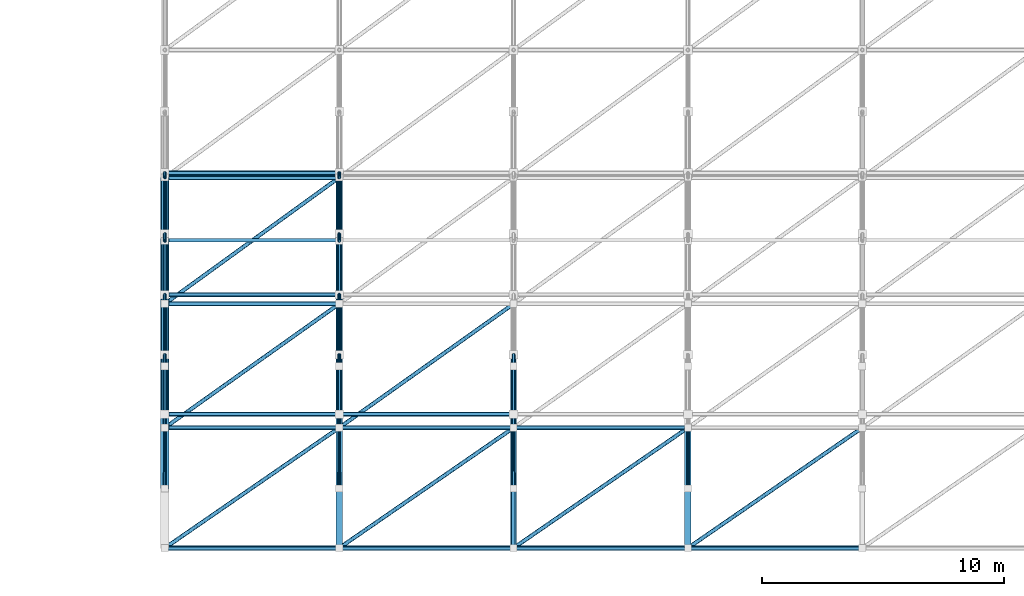
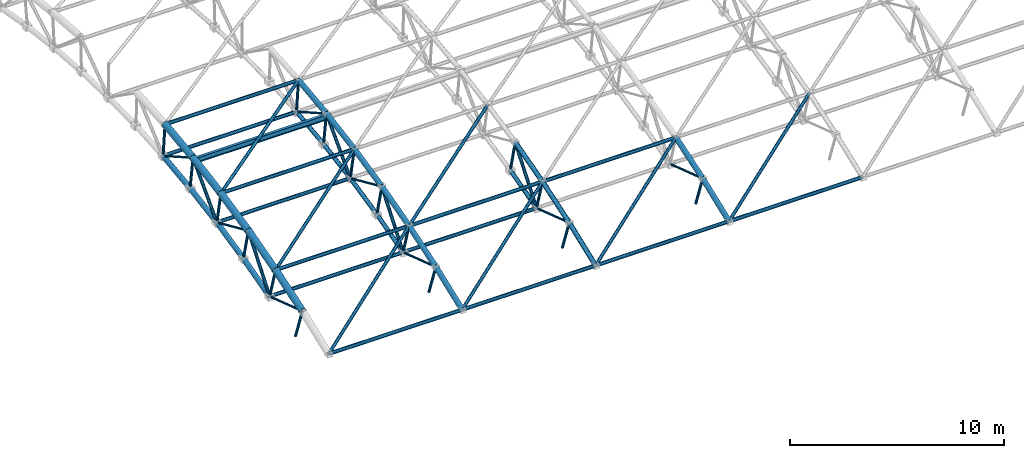
# One storey, part 12 of 41: 75 members.
"""IFC4 building model written with IfcOpenShell, lengths in metres."""

from ifc_helpers import new_model, si_unit, direction, frame, origin, origin_2d, place, context, subcontext, project, spatial, hollow_circle, i_section, extrude, material, material_profile, profile_set, type_object, element, save


model = new_model("IFC4")

# Units and contexts
model_context = context("Model", 3, precision=1e-05, world=origin(), true_north=direction((0.0, 1.0)))
body_context = subcontext(model_context, "Body", "Model", "MODEL_VIEW")
ifc_project = project(units=[si_unit("LENGTHUNIT", "METRE"), si_unit("AREAUNIT", "SQUARE_METRE"), si_unit("VOLUMEUNIT", "CUBIC_METRE"), si_unit("PLANEANGLEUNIT", "RADIAN"), si_unit("MASSUNIT", "GRAM", prefix="KILO")], contexts=[model_context])

# Site, building, storey
site_placement = place(None, origin())
site = spatial("IfcSite", under=ifc_project, at=site_placement, CompositionType="ELEMENT")
building_placement = place(site_placement, origin())
building = spatial("IfcBuilding", under=site, at=building_placement, Name="Malvenik Polytechnic", CompositionType="ELEMENT")
storey_placement = place(building_placement, frame((0.0, 0.0, 17.699951171875)))
storey = spatial("IfcBuildingStorey", under=building, at=storey_placement, Name="L04", CompositionType="ELEMENT", Elevation=17.699951171875)

# Members
ifc_material_1 = material(Name="Steel S355J2H", Category="steel")
ifc_material_profile_1 = material_profile(ifc_material_1, hollow_circle(Radius=0.136474609375, WallThickness=0.010009765625, at=origin_2d()), Name="CHS 273.0x10.0")
ifc_profile_set_1 = profile_set([ifc_material_profile_1], Name="Steel S355J2H")
member_type_1 = type_object("IfcMemberType", Name="STR-MEM-SFB-01", PredefinedType="CHORD", material=ifc_profile_set_1)
for number, where, z_axis, x_axis, name in (
    (1, (134.39990234375, 49.7607421875, 0.181396484375), (0.0, 0.96402666338, 0.265805553539), (-1.0, 0.0, 0.0), "Space-Frame Tube SFB-01 STR-SF-BC-0013"),
    (2, (134.39990234375, 52.21240234375, 0.857177734375), (0.0, 0.975880203116, 0.21830673184), (-1.0, 0.0, 0.0), "Space-Frame Tube SFB-01 STR-SF-BC-0015"),
):
    element("IfcMember", number, at=place(storey_placement, frame(where, z_axis=z_axis, x_axis=x_axis)), inside=storey, type_object=member_type_1, Name=name, PredefinedType="CHORD", context=body_context, shape_type="SweptSolid", body=[
        extrude(hollow_circle(Radius=0.136474609375, WallThickness=0.010009765625, at=origin_2d()), origin(), (0.0, 0.0, 1.0), 2.53515625),
    ])
member_1_placement = place(storey_placement, frame((134.39990234375, 54.6943359375, 1.412353515625), z_axis=(0.0, 0.985387199481, 0.170329290198), x_axis=(-1.0, 0.0, 0.0)))
element("IfcMember", 3, at=member_1_placement, inside=storey, type_object=member_type_1, Name="Space-Frame Tube SFB-01 STR-SF-BC-0017", PredefinedType="CHORD", context=body_context, shape_type="SweptSolid", body=[
    extrude(hollow_circle(Radius=0.136474609375, WallThickness=0.010009765625, at=origin_2d()), origin(), (0.0, 0.0, 1.0), 2.53564453125),
])
member_2_placement = place(storey_placement, frame((134.39990234375, 57.20068359375, 1.845458984375), z_axis=(0.0, 0.992529141181, 0.122007802646), x_axis=(-1.0, 0.0, 0.0)))
element("IfcMember", 4, at=member_2_placement, inside=storey, type_object=member_type_1, Name="Space-Frame Tube SFB-01 STR-SF-BC-0019", PredefinedType="CHORD", context=body_context, shape_type="SweptSolid", body=[
    extrude(hollow_circle(Radius=0.136474609375, WallThickness=0.010009765625, at=origin_2d()), origin(), (0.0, 0.0, 1.0), 2.535400390625),
])
ifc_material_profile_2 = material_profile(ifc_material_1, hollow_circle(Radius=0.109619140625, WallThickness=0.010009765625, at=origin_2d()), Name="CHS 219.1x10.0")
ifc_profile_set_2 = profile_set([ifc_material_profile_2], Name="Steel S355J2H")
member_type_2 = type_object("IfcMemberType", Name="STR-MEM-SFB-02", PredefinedType="CHORD", material=ifc_profile_set_2)
for number, where, z_axis, x_axis, name in (
    (5, (141.60009765625, 49.7607421875, 0.181396484375), (0.0, 0.96402666338, 0.265805553539), (-1.0, 0.0, 0.0), "Space-Frame Tube SFB-02 STR-SF-BC-0110"),
    (6, (141.60009765625, 52.21240234375, 0.857177734375), (0.0, 0.975880203116, 0.21830673184), (-1.0, 0.0, 0.0), "Space-Frame Tube SFB-02 STR-SF-BC-0112"),
):
    element("IfcMember", number, at=place(storey_placement, frame(where, z_axis=z_axis, x_axis=x_axis)), inside=storey, type_object=member_type_2, Name=name, PredefinedType="CHORD", context=body_context, shape_type="SweptSolid", body=[
        extrude(hollow_circle(Radius=0.109619140625, WallThickness=0.010009765625, at=origin_2d()), origin(), (0.0, 0.0, 1.0), 2.53515625),
    ])
member_3_placement = place(storey_placement, frame((141.60009765625, 54.6943359375, 1.412353515625), z_axis=(0.0, 0.985387199481, 0.170329290198), x_axis=(-1.0, 0.0, 0.0)))
element("IfcMember", 7, at=member_3_placement, inside=storey, type_object=member_type_2, Name="Space-Frame Tube SFB-02 STR-SF-BC-0114", PredefinedType="CHORD", context=body_context, shape_type="SweptSolid", body=[
    extrude(hollow_circle(Radius=0.109619140625, WallThickness=0.010009765625, at=origin_2d()), origin(), (0.0, 0.0, 1.0), 2.53564453125),
])
member_4_placement = place(storey_placement, frame((141.60009765625, 57.20068359375, 1.845458984375), z_axis=(0.0, 0.992529141181, 0.122007802646), x_axis=(-1.0, 0.0, 0.0)))
element("IfcMember", 8, at=member_4_placement, inside=storey, type_object=member_type_2, Name="Space-Frame Tube SFB-02 STR-SF-BC-0116", PredefinedType="CHORD", context=body_context, shape_type="SweptSolid", body=[
    extrude(hollow_circle(Radius=0.109619140625, WallThickness=0.010009765625, at=origin_2d()), origin(), (0.0, 0.0, 1.0), 2.535400390625),
])
ifc_material_profile_3 = material_profile(ifc_material_1, hollow_circle(Radius=0.109619140625, WallThickness=0.008056640625, at=origin_2d()), Name="CHS 219.1x8.0")
ifc_profile_set_3 = profile_set([ifc_material_profile_3], Name="Steel S355J2H")
member_type_3 = type_object("IfcMemberType", Name="STR-MEM-SFB-03", PredefinedType="CHORD", material=ifc_profile_set_3)
member_5_placement = place(storey_placement, frame((148.800048828125, 49.7607421875, 0.181396484375), z_axis=(0.0, 0.96402666338, 0.265805553539), x_axis=(-1.0, 0.0, 0.0)))
element("IfcMember", 9, at=member_5_placement, inside=storey, type_object=member_type_3, Name="Space-Frame Tube SFB-03 STR-SF-BC-0207", PredefinedType="CHORD", context=body_context, shape_type="SweptSolid", body=[
    extrude(hollow_circle(Radius=0.109619140625, WallThickness=0.008056640625, at=origin_2d()), origin(), (0.0, 0.0, 1.0), 2.53515625),
])
ifc_material_profile_4 = material_profile(ifc_material_1, hollow_circle(Radius=0.084228515625, WallThickness=0.00634765625, at=origin_2d()), Name="CHS 168.3x6.3")
ifc_profile_set_4 = profile_set([ifc_material_profile_4], Name="Steel S355J2H")
member_type_4 = type_object("IfcMemberType", Name="STR-MEM-SFD-02", PredefinedType="BRACE", material=ifc_profile_set_4)
for number, where, z_axis, x_axis, name in (
    (10, (134.39990234375, 49.75927734375, 0.18359375), (0.0, 0.615336380621, 0.788264637469), (-1.0, 0.0, 0.0), "Space-Frame Tube SFD-02 STR-SF-AD-0080"),
    (11, (134.39990234375, 54.693359375, 1.41455078125), (0.0, 0.689369138423, 0.724410236668), (-1.0, 0.0, 0.0), "Space-Frame Tube SFD-02 STR-SF-AD-0082"),
    (12, (141.60009765625, 49.75927734375, 0.18359375), (0.0, 0.615336380621, 0.788264637469), (-1.0, 0.0, 0.0), "Space-Frame Tube SFD-02 STR-SF-AD-0177"),
    (13, (141.60009765625, 54.693359375, 1.41455078125), (0.0, 0.689369138423, 0.724410236668), (-1.0, 0.0, 0.0), "Space-Frame Tube SFD-02 STR-SF-AD-0179"),
    (14, (148.800048828125, 49.75927734375, 0.18359375), (0.0, 0.615336380621, 0.788264637469), (-1.0, 0.0, 0.0), "Space-Frame Tube SFD-02 STR-SF-AD-0274"),
):
    element("IfcMember", number, at=place(storey_placement, frame(where, z_axis=z_axis, x_axis=x_axis)), inside=storey, type_object=member_type_4, Name=name, PredefinedType="BRACE", context=body_context, shape_type="SweptSolid", body=[
        extrude(hollow_circle(Radius=0.084228515625, WallThickness=0.00634765625, at=origin_2d()), origin(), (0.0, 0.0, 1.0), 3.218994140625),
    ])
for number, where, z_axis, x_axis, name in (
    (15, (134.4033203125, 44.23486328125, 0.25341796875), (0.80675012012, 0.556598440191, 0.198374444077), (-0.567884399756, 0.823108321252, 0.0), "Space-Frame Tube SFD-02 STR-SF-SD-0805"),
    (16, (134.4033203125, 49.2021484375, 2.023681640625), (0.806755303568, 0.57330445785, 0.143065994473), (-0.57926325146, 0.81514053114, 0.0), "Space-Frame Tube SFD-02 STR-SF-SD-0806"),
    (17, (134.4033203125, 54.318603515625, 3.30029296875), (0.806743307395, 0.584549377871, 0.086413313811), (-0.586744168683, 0.809772363394, 0.0), "Space-Frame Tube SFD-02 STR-SF-SD-0807"),
):
    element("IfcMember", number, at=place(storey_placement, frame(where, z_axis=z_axis, x_axis=x_axis)), inside=storey, type_object=member_type_4, Name=name, PredefinedType="BRACE", context=body_context, shape_type="SweptSolid", body=[
        extrude(hollow_circle(Radius=0.084228515625, WallThickness=0.00634765625, at=origin_2d()), origin(), (0.0, 0.0, 1.0), 8.91650390625),
    ])
member_6_placement = place(storey_placement, frame((141.603271484375, 44.23486328125, 0.25341796875), z_axis=(0.806759679952, 0.556586145395, 0.19837006215), x_axis=(-0.567871341818, 0.823117330119, 0.0)))
element("IfcMember", 18, at=member_6_placement, inside=storey, type_object=member_type_4, Name="Space-Frame Tube SFD-02 STR-SF-SD-0847", PredefinedType="BRACE", context=body_context, shape_type="SweptSolid", body=[
    extrude(hollow_circle(Radius=0.084228515625, WallThickness=0.00634765625, at=origin_2d()), origin(), (0.0, 0.0, 1.0), 8.916748046875),
])
member_7_placement = place(storey_placement, frame((141.603271484375, 49.2021484375, 2.023681640625), z_axis=(0.806764863232, 0.573291793869, 0.143062834223), x_axis=(-0.57925018849, 0.81514981392, 0.0)))
element("IfcMember", 19, at=member_7_placement, inside=storey, type_object=member_type_4, Name="Space-Frame Tube SFD-02 STR-SF-SD-0848", PredefinedType="BRACE", context=body_context, shape_type="SweptSolid", body=[
    extrude(hollow_circle(Radius=0.084228515625, WallThickness=0.00634765625, at=origin_2d()), origin(), (0.0, 0.0, 1.0), 8.91650390625),
])
for number, where, z_axis, x_axis, name in (
    (20, (148.80322265625, 44.23486328125, 0.25341796875), (0.806759679952, 0.556586145395, 0.19837006215), (-0.567871341818, 0.823117330119, 0.0), "Space-Frame Tube SFD-02 STR-SF-SD-0889"),
    (21, (156.003173828125, 44.23486328125, 0.25341796875), (0.806759679952, 0.556586145395, 0.19837006215), (-0.567871341818, 0.823117330119, 0.0), "Space-Frame Tube SFD-02 STR-SF-SD-0931"),
):
    element("IfcMember", number, at=place(storey_placement, frame(where, z_axis=z_axis, x_axis=x_axis)), inside=storey, type_object=member_type_4, Name=name, PredefinedType="BRACE", context=body_context, shape_type="SweptSolid", body=[
        extrude(hollow_circle(Radius=0.084228515625, WallThickness=0.00634765625, at=origin_2d()), origin(), (0.0, 0.0, 1.0), 8.916748046875),
    ])
ifc_material_profile_5 = material_profile(ifc_material_1, hollow_circle(Radius=0.06982421875, WallThickness=0.00634765625, at=origin_2d()), Name="CHS 139.7x6.3")
ifc_profile_set_5 = profile_set([ifc_material_profile_5], Name="Steel S355J2H")
member_type_5 = type_object("IfcMemberType", Name="STR-MEM-SFD-03", PredefinedType="BRACE", material=ifc_profile_set_5)
member_8_placement = place(storey_placement, frame((134.39990234375, 47.339599609375, -0.61083984375), z_axis=(0.0, -0.335836148318, 0.941920422054), x_axis=(1.0, 0.0, 0.0)))
element("IfcMember", 22, at=member_8_placement, inside=storey, type_object=member_type_5, Name="Space-Frame Tube SFD-03 STR-SF-WB-0054", PredefinedType="BRACE", context=body_context, shape_type="SweptSolid", body=[
    extrude(hollow_circle(Radius=0.06982421875, WallThickness=0.00634765625, at=origin_2d()), origin(), (0.0, 0.0, 1.0), 1.9169921875),
])
member_9_placement = place(storey_placement, frame((134.39990234375, 49.755615234375, 0.18408203125), z_axis=(0.0, -0.289204975311, 0.957267194808), x_axis=(1.0, 0.0, 0.0)))
element("IfcMember", 23, at=member_9_placement, inside=storey, type_object=member_type_5, Name="Space-Frame Tube SFD-03 STR-SF-WB-0055", PredefinedType="BRACE", context=body_context, shape_type="SweptSolid", body=[
    extrude(hollow_circle(Radius=0.06982421875, WallThickness=0.00634765625, at=origin_2d()), origin(), (0.0, 0.0, 1.0), 1.917236328125),
])
member_10_placement = place(storey_placement, frame((134.39990234375, 52.20751953125, 0.8603515625), z_axis=(0.0, -0.242116055397, 0.970247296167), x_axis=(1.0, 0.0, 0.0)))
element("IfcMember", 24, at=member_10_placement, inside=storey, type_object=member_type_5, Name="Space-Frame Tube SFD-03 STR-SF-WB-0056", PredefinedType="BRACE", context=body_context, shape_type="SweptSolid", body=[
    extrude(hollow_circle(Radius=0.06982421875, WallThickness=0.00634765625, at=origin_2d()), origin(), (0.0, 0.0, 1.0), 1.9169921875),
])
member_11_placement = place(storey_placement, frame((134.39990234375, 54.689697265625, 1.41552734375), z_axis=(0.0, -0.194328084871, 0.980936590933), x_axis=(1.0, 0.0, 0.0)))
element("IfcMember", 25, at=member_11_placement, inside=storey, type_object=member_type_5, Name="Space-Frame Tube SFD-03 STR-SF-WB-0057", PredefinedType="BRACE", context=body_context, shape_type="SweptSolid", body=[
    extrude(hollow_circle(Radius=0.06982421875, WallThickness=0.00634765625, at=origin_2d()), origin(), (0.0, 0.0, 1.0), 1.917236328125),
])
member_12_placement = place(storey_placement, frame((134.39990234375, 57.196044921875, 1.848876953125), z_axis=(0.0, -0.146197883622, 0.989255365831), x_axis=(1.0, 0.0, 0.0)))
element("IfcMember", 26, at=member_12_placement, inside=storey, type_object=member_type_5, Name="Space-Frame Tube SFD-03 STR-SF-WB-0058", PredefinedType="BRACE", context=body_context, shape_type="SweptSolid", body=[
    extrude(hollow_circle(Radius=0.06982421875, WallThickness=0.00634765625, at=origin_2d()), origin(), (0.0, 0.0, 1.0), 1.9169921875),
])
member_13_placement = place(storey_placement, frame((134.39990234375, 59.720703125, 2.1591796875), z_axis=(0.0, -0.09767529924, 0.995218335803), x_axis=(1.0, 0.0, 0.0)))
element("IfcMember", 27, at=member_13_placement, inside=storey, type_object=member_type_5, Name="Space-Frame Tube SFD-03 STR-SF-WB-0059", PredefinedType="BRACE", context=body_context, shape_type="SweptSolid", body=[
    extrude(hollow_circle(Radius=0.06982421875, WallThickness=0.00634765625, at=origin_2d()), origin(), (0.0, 0.0, 1.0), 1.917236328125),
])
member_14_placement = place(storey_placement, frame((141.60009765625, 47.339599609375, -0.61083984375), z_axis=(0.0, -0.335836148318, 0.941920422054), x_axis=(1.0, 0.0, 0.0)))
element("IfcMember", 28, at=member_14_placement, inside=storey, type_object=member_type_5, Name="Space-Frame Tube SFD-03 STR-SF-WB-0151", PredefinedType="BRACE", context=body_context, shape_type="SweptSolid", body=[
    extrude(hollow_circle(Radius=0.06982421875, WallThickness=0.00634765625, at=origin_2d()), origin(), (0.0, 0.0, 1.0), 1.9169921875),
])
member_15_placement = place(storey_placement, frame((141.60009765625, 49.755615234375, 0.18408203125), z_axis=(0.0, -0.289204975311, 0.957267194808), x_axis=(1.0, 0.0, 0.0)))
element("IfcMember", 29, at=member_15_placement, inside=storey, type_object=member_type_5, Name="Space-Frame Tube SFD-03 STR-SF-WB-0152", PredefinedType="BRACE", context=body_context, shape_type="SweptSolid", body=[
    extrude(hollow_circle(Radius=0.06982421875, WallThickness=0.00634765625, at=origin_2d()), origin(), (0.0, 0.0, 1.0), 1.917236328125),
])
member_16_placement = place(storey_placement, frame((141.60009765625, 52.20751953125, 0.8603515625), z_axis=(0.0, -0.242116055397, 0.970247296167), x_axis=(1.0, 0.0, 0.0)))
element("IfcMember", 30, at=member_16_placement, inside=storey, type_object=member_type_5, Name="Space-Frame Tube SFD-03 STR-SF-WB-0153", PredefinedType="BRACE", context=body_context, shape_type="SweptSolid", body=[
    extrude(hollow_circle(Radius=0.06982421875, WallThickness=0.00634765625, at=origin_2d()), origin(), (0.0, 0.0, 1.0), 1.9169921875),
])
member_17_placement = place(storey_placement, frame((141.60009765625, 54.689697265625, 1.41552734375), z_axis=(0.0, -0.194328084871, 0.980936590933), x_axis=(1.0, 0.0, 0.0)))
element("IfcMember", 31, at=member_17_placement, inside=storey, type_object=member_type_5, Name="Space-Frame Tube SFD-03 STR-SF-WB-0154", PredefinedType="BRACE", context=body_context, shape_type="SweptSolid", body=[
    extrude(hollow_circle(Radius=0.06982421875, WallThickness=0.00634765625, at=origin_2d()), origin(), (0.0, 0.0, 1.0), 1.917236328125),
])
member_18_placement = place(storey_placement, frame((141.60009765625, 57.196044921875, 1.848876953125), z_axis=(0.0, -0.146197883622, 0.989255365831), x_axis=(1.0, 0.0, 0.0)))
element("IfcMember", 32, at=member_18_placement, inside=storey, type_object=member_type_5, Name="Space-Frame Tube SFD-03 STR-SF-WB-0155", PredefinedType="BRACE", context=body_context, shape_type="SweptSolid", body=[
    extrude(hollow_circle(Radius=0.06982421875, WallThickness=0.00634765625, at=origin_2d()), origin(), (0.0, 0.0, 1.0), 1.9169921875),
])
member_19_placement = place(storey_placement, frame((141.60009765625, 59.720703125, 2.1591796875), z_axis=(0.0, -0.09767529924, 0.995218335803), x_axis=(1.0, 0.0, 0.0)))
element("IfcMember", 33, at=member_19_placement, inside=storey, type_object=member_type_5, Name="Space-Frame Tube SFD-03 STR-SF-WB-0156", PredefinedType="BRACE", context=body_context, shape_type="SweptSolid", body=[
    extrude(hollow_circle(Radius=0.06982421875, WallThickness=0.00634765625, at=origin_2d()), origin(), (0.0, 0.0, 1.0), 1.917236328125),
])
member_20_placement = place(storey_placement, frame((148.800048828125, 47.339599609375, -0.61083984375), z_axis=(0.0, -0.335836148318, 0.941920422054), x_axis=(1.0, 0.0, 0.0)))
element("IfcMember", 34, at=member_20_placement, inside=storey, type_object=member_type_5, Name="Space-Frame Tube SFD-03 STR-SF-WB-0248", PredefinedType="BRACE", context=body_context, shape_type="SweptSolid", body=[
    extrude(hollow_circle(Radius=0.06982421875, WallThickness=0.00634765625, at=origin_2d()), origin(), (0.0, 0.0, 1.0), 1.9169921875),
])
member_21_placement = place(storey_placement, frame((148.800048828125, 49.755615234375, 0.18408203125), z_axis=(0.0, -0.289204975311, 0.957267194808), x_axis=(1.0, 0.0, 0.0)))
element("IfcMember", 35, at=member_21_placement, inside=storey, type_object=member_type_5, Name="Space-Frame Tube SFD-03 STR-SF-WB-0249", PredefinedType="BRACE", context=body_context, shape_type="SweptSolid", body=[
    extrude(hollow_circle(Radius=0.06982421875, WallThickness=0.00634765625, at=origin_2d()), origin(), (0.0, 0.0, 1.0), 1.917236328125),
])
for number, where, z_axis, x_axis, name in (
    (36, (148.800048828125, 52.20751953125, 0.8603515625), (0.0, -0.242116055397, 0.970247296167), (1.0, 0.0, 0.0), "Space-Frame Tube SFD-03 STR-SF-WB-0250"),
    (37, (156.0, 47.339599609375, -0.61083984375), (0.0, -0.335836148318, 0.941920422054), (1.0, 0.0, 0.0), "Space-Frame Tube SFD-03 STR-SF-WB-0345"),
):
    element("IfcMember", number, at=place(storey_placement, frame(where, z_axis=z_axis, x_axis=x_axis)), inside=storey, type_object=member_type_5, Name=name, PredefinedType="BRACE", context=body_context, shape_type="SweptSolid", body=[
        extrude(hollow_circle(Radius=0.06982421875, WallThickness=0.00634765625, at=origin_2d()), origin(), (0.0, 0.0, 1.0), 1.9169921875),
    ])
ifc_material_profile_6 = material_profile(ifc_material_1, hollow_circle(Radius=0.05712890625, WallThickness=0.0048828125, at=origin_2d()), Name="CHS 114.3x5.0")
ifc_profile_set_6 = profile_set([ifc_material_profile_6], Name="Steel S355J2H")
member_type_6 = type_object("IfcMemberType", Name="STR-MEM-SFD-04", PredefinedType="BRACE", material=ifc_profile_set_6)
member_22_placement = place(storey_placement, frame((134.39990234375, 46.698486328125, 1.197265625), z_axis=(0.0, 0.948918160611, -0.315522304224), x_axis=(-1.0, 0.0, 0.0)))
element("IfcMember", 38, at=member_22_placement, inside=storey, type_object=member_type_6, Name="Space-Frame Tube SFD-04 STR-SF-AD-0079", PredefinedType="BRACE", context=body_context, shape_type="SweptSolid", body=[
    extrude(hollow_circle(Radius=0.05712890625, WallThickness=0.0048828125, at=origin_2d()), origin(), (0.0, 0.0, 1.0), 3.21875),
])
for number, where, z_axis, x_axis, name in (
    (39, (134.39990234375, 51.74609375, 2.722412109375), (0.0, 0.913567424865, -0.406687300301), (-1.0, 0.0, 0.0), "Space-Frame Tube SFD-04 STR-SF-AD-0081"),
    (40, (134.39990234375, 56.918701171875, 3.747314453125), (0.0, 0.869477287163, -0.493972921432), (-1.0, 0.0, 0.0), "Space-Frame Tube SFD-04 STR-SF-AD-0083"),
):
    element("IfcMember", number, at=place(storey_placement, frame(where, z_axis=z_axis, x_axis=x_axis)), inside=storey, type_object=member_type_6, Name=name, PredefinedType="BRACE", context=body_context, shape_type="SweptSolid", body=[
        extrude(hollow_circle(Radius=0.05712890625, WallThickness=0.0048828125, at=origin_2d()), origin(), (0.0, 0.0, 1.0), 3.218994140625),
    ])
member_23_placement = place(storey_placement, frame((141.60009765625, 46.698486328125, 1.197265625), z_axis=(0.0, 0.948918160611, -0.315522304224), x_axis=(-1.0, 0.0, 0.0)))
element("IfcMember", 41, at=member_23_placement, inside=storey, type_object=member_type_6, Name="Space-Frame Tube SFD-04 STR-SF-AD-0176", PredefinedType="BRACE", context=body_context, shape_type="SweptSolid", body=[
    extrude(hollow_circle(Radius=0.05712890625, WallThickness=0.0048828125, at=origin_2d()), origin(), (0.0, 0.0, 1.0), 3.21875),
])
for number, where, z_axis, x_axis, name in (
    (42, (141.60009765625, 51.74609375, 2.722412109375), (0.0, 0.913567424865, -0.406687300301), (-1.0, 0.0, 0.0), "Space-Frame Tube SFD-04 STR-SF-AD-0178"),
    (43, (141.60009765625, 56.918701171875, 3.747314453125), (0.0, 0.869477287163, -0.493972921432), (-1.0, 0.0, 0.0), "Space-Frame Tube SFD-04 STR-SF-AD-0180"),
):
    element("IfcMember", number, at=place(storey_placement, frame(where, z_axis=z_axis, x_axis=x_axis)), inside=storey, type_object=member_type_6, Name=name, PredefinedType="BRACE", context=body_context, shape_type="SweptSolid", body=[
        extrude(hollow_circle(Radius=0.05712890625, WallThickness=0.0048828125, at=origin_2d()), origin(), (0.0, 0.0, 1.0), 3.218994140625),
    ])
for number, where, z_axis, x_axis, name in (
    (44, (148.800048828125, 46.698486328125, 1.197265625), (0.0, 0.948918160611, -0.315522304224), (-1.0, 0.0, 0.0), "Space-Frame Tube SFD-04 STR-SF-AD-0273"),
    (45, (156.0, 46.698486328125, 1.197265625), (0.0, 0.948918160611, -0.315522304224), (-1.0, 0.0, 0.0), "Space-Frame Tube SFD-04 STR-SF-AD-0370"),
):
    element("IfcMember", number, at=place(storey_placement, frame(where, z_axis=z_axis, x_axis=x_axis)), inside=storey, type_object=member_type_6, Name=name, PredefinedType="BRACE", context=body_context, shape_type="SweptSolid", body=[
        extrude(hollow_circle(Radius=0.05712890625, WallThickness=0.0048828125, at=origin_2d()), origin(), (0.0, 0.0, 1.0), 3.21875),
    ])
ifc_material_profile_7 = material_profile(ifc_material_1, hollow_circle(Radius=0.096923828125, WallThickness=0.008056640625, at=origin_2d()), Name="CHS 193.7x8.0")
ifc_profile_set_7 = profile_set([ifc_material_profile_7], Name="Steel S355J2H")
member_type_7 = type_object("IfcMemberType", Name="STR-MEM-SFL-01", PredefinedType="CHORD", material=ifc_profile_set_7)
for number, where, z_axis, x_axis, name in (
    (46, (134.404052734375, 44.232666015625, 0.25244140625), (1.0, 0.0, 0.0), (0.0, 1.0, 0.0), "Space-Frame Tube SFL-01 STR-SF-LT-0782"),
    (47, (134.404052734375, 49.7568359375, 0.180419921875), (1.0, 0.0, 0.0), (0.0, 1.0, 0.0), "Space-Frame Tube SFL-01 STR-SF-LB-0783"),
    (48, (134.404052734375, 49.199951171875, 2.02294921875), (1.0, 0.0, 0.0), (0.0, 1.0, 0.0), "Space-Frame Tube SFL-01 STR-SF-LT-0784"),
    (49, (134.404052734375, 54.6904296875, 1.41162109375), (1.0, 0.0, 0.0), (0.0, 1.0, 0.0), "Space-Frame Tube SFL-01 STR-SF-LB-0785"),
    (50, (134.404052734375, 54.31640625, 3.300048828125), (1.0, 0.0, 0.0), (0.0, 1.0, 0.0), "Space-Frame Tube SFL-01 STR-SF-LT-0786"),
    (51, (134.404052734375, 59.720947265625, 2.1552734375), (1.0, 0.0, 0.0), (0.0, 1.0, 0.0), "Space-Frame Tube SFL-01 STR-SF-LB-0787"),
    (52, (134.404052734375, 59.532958984375, 4.071044921875), (1.0, 0.0, 0.0), (0.0, 1.0, 0.0), "Space-Frame Tube SFL-01 STR-SF-LT-0788"),
    (53, (141.60400390625, 44.232666015625, 0.25244140625), (1.0, 0.0, 0.0), (0.0, 1.0, 0.0), "Space-Frame Tube SFL-01 STR-SF-LT-0824"),
    (54, (141.60400390625, 49.7568359375, 0.180419921875), (1.0, 0.0, 0.0), (0.0, 1.0, 0.0), "Space-Frame Tube SFL-01 STR-SF-LB-0825"),
    (55, (141.60400390625, 49.199951171875, 2.02294921875), (1.0, 0.0, 0.0), (0.0, 1.0, 0.0), "Space-Frame Tube SFL-01 STR-SF-LT-0826"),
):
    element("IfcMember", number, at=place(storey_placement, frame(where, z_axis=z_axis, x_axis=x_axis)), inside=storey, type_object=member_type_7, Name=name, PredefinedType="CHORD", context=body_context, shape_type="SweptSolid", body=[
        extrude(hollow_circle(Radius=0.096923828125, WallThickness=0.008056640625, at=origin_2d()), origin(), (0.0, 0.0, 1.0), 7.19189453125),
    ])
for number, where, z_axis, x_axis, name in (
    (56, (148.803955078125, 44.232666015625, 0.25244140625), (1.0, 0.0, 0.0), (0.0, 1.0, 0.0), "Space-Frame Tube SFL-01 STR-SF-LT-0866"),
    (57, (148.803955078125, 49.199951171875, 2.02294921875), (1.0, 0.0, 0.0), (0.0, 1.0, 0.0), "Space-Frame Tube SFL-01 STR-SF-LT-0868"),
    (58, (156.00390625, 44.232666015625, 0.25244140625), (1.0, 0.0, 0.0), (0.0, 1.0, 0.0), "Space-Frame Tube SFL-01 STR-SF-LT-0908"),
):
    element("IfcMember", number, at=place(storey_placement, frame(where, z_axis=z_axis, x_axis=x_axis)), inside=storey, type_object=member_type_7, Name=name, PredefinedType="CHORD", context=body_context, shape_type="SweptSolid", body=[
        extrude(hollow_circle(Radius=0.096923828125, WallThickness=0.008056640625, at=origin_2d()), origin(), (0.0, 0.0, 1.0), 7.192138671875),
    ])
ifc_material_2 = material(Name="Steel S355", Category="steel")
ifc_material_profile_8 = material_profile(ifc_material_2, i_section(OverallWidth=0.14990234375, OverallDepth=0.300048828125, WebThickness=0.007080078125, FlangeThickness=0.0107421875, FilletRadius=0.014892578125, at=origin_2d()), Name="IPE 300")
ifc_profile_set_8 = profile_set([ifc_material_profile_8], Name="Steel S355")
member_type_8 = type_object("IfcMemberType", Name="STR-MEM-SFP-02", PredefinedType="PURLIN", material=ifc_profile_set_8)
member_24_placement = place(storey_placement, frame((134.419921875, 56.9453125, 3.54638671875), z_axis=(1.0, 0.0, 0.0), x_axis=(0.0, 1.0, 0.0)))
element("IfcMember", 59, at=member_24_placement, inside=storey, type_object=member_type_8, Name="Vault Roof Purlin SFP-02 #816", PredefinedType="PURLIN", context=body_context, shape_type="SweptSolid", body=[
    extrude(i_section(OverallWidth=0.14990234375, OverallDepth=0.300048828125, WebThickness=0.007080078125, FlangeThickness=0.0107421875, FilletRadius=0.014892578125, at=origin_2d()), origin(), (0.0, 0.0, 1.0), 7.16015625),
])
ifc_material_profile_9 = material_profile(ifc_material_1, hollow_circle(Radius=0.177734375, WallThickness=0.012451171875, at=origin_2d()), Name="CHS 355.6x12.5")
ifc_profile_set_9 = profile_set([ifc_material_profile_9], Name="Steel S355J2H")
member_type_9 = type_object("IfcMemberType", Name="STR-MEM-SFT-01", PredefinedType="CHORD", material=ifc_profile_set_9)
member_25_placement = place(storey_placement, frame((134.39990234375, 46.698486328125, 1.199951171875), z_axis=(0.0, 0.949901851841, 0.312548351251), x_axis=(-1.0, 0.0, 0.0)))
element("IfcMember", 60, at=member_25_placement, inside=storey, type_object=member_type_9, Name="Space-Frame Tube SFT-01 STR-SF-TC-0012", PredefinedType="CHORD", context=body_context, shape_type="SweptSolid", body=[
    extrude(hollow_circle(Radius=0.177734375, WallThickness=0.012451171875, at=origin_2d()), origin(), (0.0, 0.0, 1.0), 2.62939453125),
])
member_26_placement = place(storey_placement, frame((134.39990234375, 49.203857421875, 2.024169921875), z_axis=(0.0, 0.964040211151, 0.265756413438), x_axis=(-1.0, 0.0, 0.0)))
element("IfcMember", 61, at=member_26_placement, inside=storey, type_object=member_type_9, Name="Space-Frame Tube SFT-01 STR-SF-TC-0014", PredefinedType="CHORD", context=body_context, shape_type="SweptSolid", body=[
    extrude(hollow_circle(Radius=0.177734375, WallThickness=0.012451171875, at=origin_2d()), origin(), (0.0, 0.0, 1.0), 2.629150390625),
])
member_27_placement = place(storey_placement, frame((134.39990234375, 51.746337890625, 2.724853515625), z_axis=(0.0, 0.975867063963, 0.218365458514), x_axis=(-1.0, 0.0, 0.0)))
element("IfcMember", 62, at=member_27_placement, inside=storey, type_object=member_type_9, Name="Space-Frame Tube SFT-01 STR-SF-TC-0016", PredefinedType="CHORD", context=body_context, shape_type="SweptSolid", body=[
    extrude(hollow_circle(Radius=0.177734375, WallThickness=0.012451171875, at=origin_2d()), origin(), (0.0, 0.0, 1.0), 2.629638671875),
])
for number, where, z_axis, x_axis, name in (
    (63, (134.39990234375, 54.3203125, 3.300537109375), (0.0, 0.985379595625, 0.170373274095), (-1.0, 0.0, 0.0), "Space-Frame Tube SFT-01 STR-SF-TC-0018"),
    (64, (134.39990234375, 56.919189453125, 3.749755859375), (0.0, 0.99253004874, 0.122000419462), (-1.0, 0.0, 0.0), "Space-Frame Tube SFT-01 STR-SF-TC-0020"),
):
    element("IfcMember", number, at=place(storey_placement, frame(where, z_axis=z_axis, x_axis=x_axis)), inside=storey, type_object=member_type_9, Name=name, PredefinedType="CHORD", context=body_context, shape_type="SweptSolid", body=[
        extrude(hollow_circle(Radius=0.177734375, WallThickness=0.012451171875, at=origin_2d()), origin(), (0.0, 0.0, 1.0), 2.62939453125),
    ])
ifc_material_profile_10 = material_profile(ifc_material_1, hollow_circle(Radius=0.136474609375, WallThickness=0.012451171875, at=origin_2d()), Name="CHS 273.0x12.5")
ifc_profile_set_10 = profile_set([ifc_material_profile_10], Name="Steel S355J2H")
member_type_10 = type_object("IfcMemberType", Name="STR-MEM-SFT-02", PredefinedType="CHORD", material=ifc_profile_set_10)
member_28_placement = place(storey_placement, frame((141.60009765625, 44.236328125, 0.25390625), z_axis=(0.0, 0.93343650429, 0.358742654921), x_axis=(-1.0, 0.0, 0.0)))
element("IfcMember", 65, at=member_28_placement, inside=storey, type_object=member_type_10, Name="Space-Frame Tube SFT-02 STR-SF-TC-0107", PredefinedType="CHORD", context=body_context, shape_type="SweptSolid", body=[
    extrude(hollow_circle(Radius=0.136474609375, WallThickness=0.012451171875, at=origin_2d()), origin(), (0.0, 0.0, 1.0), 2.629638671875),
])
member_29_placement = place(storey_placement, frame((141.60009765625, 46.698486328125, 1.199951171875), z_axis=(0.0, 0.949901851841, 0.312548351251), x_axis=(-1.0, 0.0, 0.0)))
element("IfcMember", 66, at=member_29_placement, inside=storey, type_object=member_type_10, Name="Space-Frame Tube SFT-02 STR-SF-TC-0109", PredefinedType="CHORD", context=body_context, shape_type="SweptSolid", body=[
    extrude(hollow_circle(Radius=0.136474609375, WallThickness=0.012451171875, at=origin_2d()), origin(), (0.0, 0.0, 1.0), 2.62939453125),
])
member_30_placement = place(storey_placement, frame((141.60009765625, 49.203857421875, 2.024169921875), z_axis=(0.0, 0.964040211151, 0.265756413438), x_axis=(-1.0, 0.0, 0.0)))
element("IfcMember", 67, at=member_30_placement, inside=storey, type_object=member_type_10, Name="Space-Frame Tube SFT-02 STR-SF-TC-0111", PredefinedType="CHORD", context=body_context, shape_type="SweptSolid", body=[
    extrude(hollow_circle(Radius=0.136474609375, WallThickness=0.012451171875, at=origin_2d()), origin(), (0.0, 0.0, 1.0), 2.629150390625),
])
member_31_placement = place(storey_placement, frame((141.60009765625, 51.746337890625, 2.724853515625), z_axis=(0.0, 0.975867063963, 0.218365458514), x_axis=(-1.0, 0.0, 0.0)))
element("IfcMember", 68, at=member_31_placement, inside=storey, type_object=member_type_10, Name="Space-Frame Tube SFT-02 STR-SF-TC-0113", PredefinedType="CHORD", context=body_context, shape_type="SweptSolid", body=[
    extrude(hollow_circle(Radius=0.136474609375, WallThickness=0.012451171875, at=origin_2d()), origin(), (0.0, 0.0, 1.0), 2.629638671875),
])
for number, where, z_axis, x_axis, name in (
    (69, (141.60009765625, 54.3203125, 3.300537109375), (0.0, 0.985379595625, 0.170373274095), (-1.0, 0.0, 0.0), "Space-Frame Tube SFT-02 STR-SF-TC-0115"),
    (70, (141.60009765625, 56.919189453125, 3.749755859375), (0.0, 0.99253004874, 0.122000419462), (-1.0, 0.0, 0.0), "Space-Frame Tube SFT-02 STR-SF-TC-0117"),
):
    element("IfcMember", number, at=place(storey_placement, frame(where, z_axis=z_axis, x_axis=x_axis)), inside=storey, type_object=member_type_10, Name=name, PredefinedType="CHORD", context=body_context, shape_type="SweptSolid", body=[
        extrude(hollow_circle(Radius=0.136474609375, WallThickness=0.012451171875, at=origin_2d()), origin(), (0.0, 0.0, 1.0), 2.62939453125),
    ])
member_32_placement = place(storey_placement, frame((156.0, 44.236328125, 0.25390625), z_axis=(0.0, 0.93343650429, 0.358742654921), x_axis=(-1.0, 0.0, 0.0)))
element("IfcMember", 71, at=member_32_placement, inside=storey, type_object=member_type_10, Name="Space-Frame Tube SFT-02 STR-SF-TC-0301", PredefinedType="CHORD", context=body_context, shape_type="SweptSolid", body=[
    extrude(hollow_circle(Radius=0.136474609375, WallThickness=0.012451171875, at=origin_2d()), origin(), (0.0, 0.0, 1.0), 2.629638671875),
])
member_33_placement = place(storey_placement, frame((156.0, 46.698486328125, 1.199951171875), z_axis=(0.0, 0.949901851841, 0.312548351251), x_axis=(-1.0, 0.0, 0.0)))
element("IfcMember", 72, at=member_33_placement, inside=storey, type_object=member_type_10, Name="Space-Frame Tube SFT-02 STR-SF-TC-0303", PredefinedType="CHORD", context=body_context, shape_type="SweptSolid", body=[
    extrude(hollow_circle(Radius=0.136474609375, WallThickness=0.012451171875, at=origin_2d()), origin(), (0.0, 0.0, 1.0), 2.62939453125),
])
ifc_material_profile_11 = material_profile(ifc_material_1, hollow_circle(Radius=0.122314453125, WallThickness=0.010009765625, at=origin_2d()), Name="CHS 244.5x10.0")
ifc_profile_set_11 = profile_set([ifc_material_profile_11], Name="Steel S355J2H")
member_type_11 = type_object("IfcMemberType", Name="STR-MEM-SFT-03", PredefinedType="CHORD", material=ifc_profile_set_11)
member_34_placement = place(storey_placement, frame((148.800048828125, 44.236328125, 0.25390625), z_axis=(0.0, 0.93343650429, 0.358742654921), x_axis=(-1.0, 0.0, 0.0)))
element("IfcMember", 73, at=member_34_placement, inside=storey, type_object=member_type_11, Name="Space-Frame Tube SFT-03 STR-SF-TC-0204", PredefinedType="CHORD", context=body_context, shape_type="SweptSolid", body=[
    extrude(hollow_circle(Radius=0.122314453125, WallThickness=0.010009765625, at=origin_2d()), origin(), (0.0, 0.0, 1.0), 2.629638671875),
])
member_35_placement = place(storey_placement, frame((148.800048828125, 46.698486328125, 1.199951171875), z_axis=(0.0, 0.949901851841, 0.312548351251), x_axis=(-1.0, 0.0, 0.0)))
element("IfcMember", 74, at=member_35_placement, inside=storey, type_object=member_type_11, Name="Space-Frame Tube SFT-03 STR-SF-TC-0206", PredefinedType="CHORD", context=body_context, shape_type="SweptSolid", body=[
    extrude(hollow_circle(Radius=0.122314453125, WallThickness=0.010009765625, at=origin_2d()), origin(), (0.0, 0.0, 1.0), 2.62939453125),
])
member_36_placement = place(storey_placement, frame((148.800048828125, 49.203857421875, 2.024169921875), z_axis=(0.0, 0.964040211151, 0.265756413438), x_axis=(-1.0, 0.0, 0.0)))
element("IfcMember", 75, at=member_36_placement, inside=storey, type_object=member_type_11, Name="Space-Frame Tube SFT-03 STR-SF-TC-0208", PredefinedType="CHORD", context=body_context, shape_type="SweptSolid", body=[
    extrude(hollow_circle(Radius=0.122314453125, WallThickness=0.010009765625, at=origin_2d()), origin(), (0.0, 0.0, 1.0), 2.629150390625),
])

save(model, "model.ifc")
